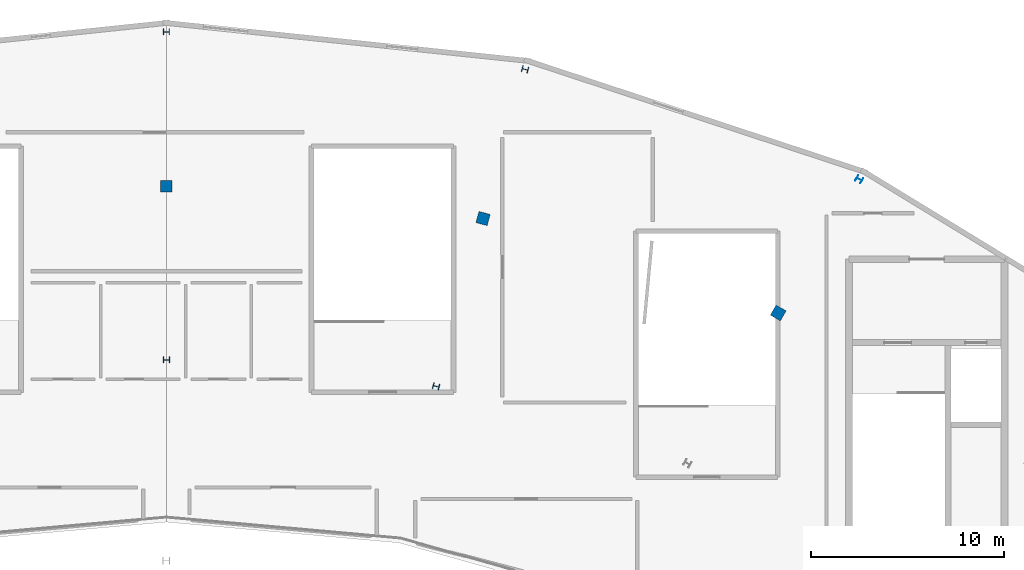
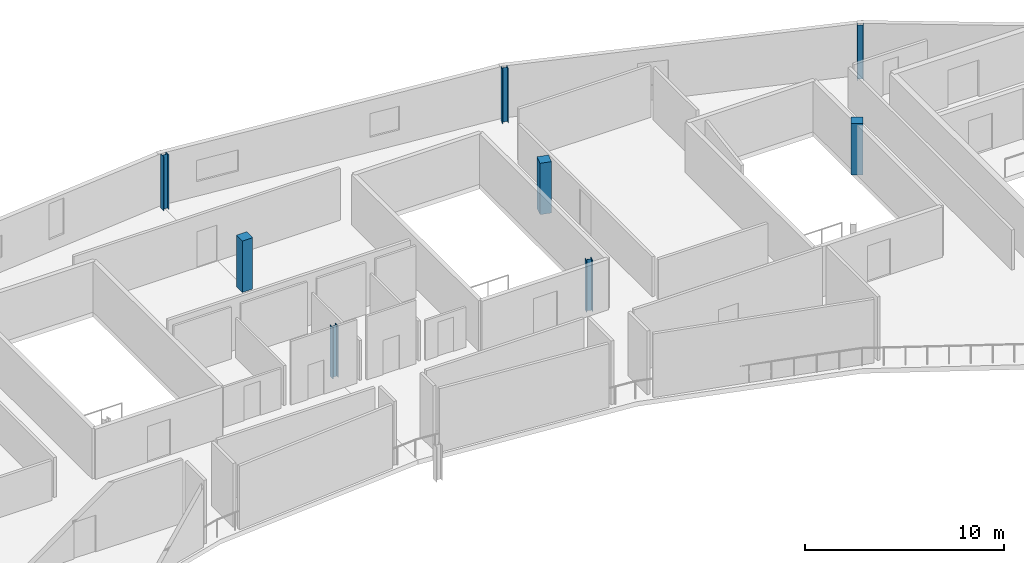
# One storey, part 11 of 35: 8 columns.
"""IFC4 building model written with IfcOpenShell, lengths in metres."""

from ifc_helpers import new_model, si_unit, direction, frame, origin, origin_2d, place, context, subcontext, project, spatial, rectangle, i_section, extrude, material, material_profile, profile_set, type_object, element, save


model = new_model("IFC4")

# Units and contexts
model_context = context("Model", 3, precision=1e-05, world=origin(), true_north=direction((0.0, 1.0)))
body_context = subcontext(model_context, "Body", "Model", "MODEL_VIEW")
ifc_project = project(units=[si_unit("LENGTHUNIT", "METRE"), si_unit("AREAUNIT", "SQUARE_METRE"), si_unit("VOLUMEUNIT", "CUBIC_METRE"), si_unit("PLANEANGLEUNIT", "RADIAN"), si_unit("MASSUNIT", "GRAM", prefix="KILO")], contexts=[model_context])

# Site, building, storey
site_placement = place(None, origin())
site = spatial("IfcSite", under=ifc_project, at=site_placement, CompositionType="ELEMENT")
building_placement = place(site_placement, origin())
building = spatial("IfcBuilding", under=site, at=building_placement, Name="Kalgoora Escarpment Arena", CompositionType="ELEMENT")
storey_placement = place(building_placement, frame((0.0, 0.0, 23.39990234375)))
storey = spatial("IfcBuildingStorey", under=building, at=storey_placement, Name="L05", CompositionType="ELEMENT", Elevation=23.39990234375)

# Columns
ifc_material_1 = material(Name="Structural steel AS/NZS 3679 (300 MPa)", Category="steel")
ifc_material_profile_1 = material_profile(ifc_material_1, i_section(OverallWidth=0.30908203125, OverallDepth=0.321044921875, WebThickness=0.013916015625, FlangeThickness=0.021728515625, at=origin_2d()))
ifc_profile_set_1 = profile_set([ifc_material_profile_1], Name="Structural steel AS/NZS 3679 (300 MPa)")
column_type_1 = type_object("IfcColumnType", Name="COL-COL-310UC137", PredefinedType="COLUMN", material=ifc_profile_set_1)
for number, where, z_axis, x_axis, name in (
    (1, (128.300048828125, 113.36328125, 0.0), (0.0, 0.0, 1.0), (0.5, 0.866025403784, 0.0), "L05 structural column COL-RCONC2-R05"),
    (2, (110.983154296875, 119.057861328125, 0.0), (0.0, 0.0, 1.0), (0.258819045103, 0.965925826289, 0.0), "L05 structural column COL-RCONC2-R06"),
    (3, (92.39990234375, 121.0, 0.0), (0.0, 0.0, 1.0), (0.0, 1.0, 0.0), "L05 structural column COL-RCONC2-R07"),
):
    element("IfcColumn", number, at=place(storey_placement, frame(where, z_axis=z_axis, x_axis=x_axis)), inside=storey, type_object=column_type_1, Name=name, PredefinedType="COLUMN", context=body_context, shape_type="SweptSolid", body=[
        extrude(i_section(OverallWidth=0.30908203125, OverallDepth=0.321044921875, WebThickness=0.013916015625, FlangeThickness=0.021728515625, at=origin_2d()), origin(), (0.0, 0.0, 1.0), 3.320068359375),
    ])
ifc_material_2 = material(Name="Structural steel AS/NZS 3679 (300 MPa)", Category="steel")
ifc_material_profile_2 = material_profile(ifc_material_2, i_section(OverallWidth=0.31103515625, OverallDepth=0.326904296875, WebThickness=0.015625, FlangeThickness=0.02490234375, at=origin_2d()))
ifc_profile_set_2 = profile_set([ifc_material_profile_2], Name="Structural steel AS/NZS 3679 (300 MPa)")
column_type_2 = type_object("IfcColumnType", Name="COL-COL-310UC158", PredefinedType="COLUMN", material=ifc_profile_set_2)
for number, where, z_axis, x_axis, name in (
    (4, (106.376220703125, 102.636962890625, 0.0), (0.0, 0.0, 1.0), (0.258819045103, 0.965925826289, 0.0), "L05 structural column COL-RMAIN-R06"),
    (5, (92.39990234375, 104.0, 0.0), (0.0, 0.0, 1.0), (0.0, 1.0, 0.0), "L05 structural column COL-RMAIN-R07"),
):
    element("IfcColumn", number, at=place(storey_placement, frame(where, z_axis=z_axis, x_axis=x_axis)), inside=storey, type_object=column_type_2, Name=name, PredefinedType="COLUMN", context=body_context, shape_type="SweptSolid", body=[
        extrude(i_section(OverallWidth=0.31103515625, OverallDepth=0.326904296875, WebThickness=0.015625, FlangeThickness=0.02490234375, at=origin_2d()), origin(), (0.0, 0.0, 1.0), 3.150146484375),
    ])
ifc_material_3 = material(Name="Concrete N50 (fc' 50 MPa)", Category="concrete")
ifc_material_profile_3 = material_profile(ifc_material_3, rectangle(XDim=0.60009765625, YDim=0.60009765625, at=origin_2d()))
ifc_profile_set_3 = profile_set([ifc_material_profile_3], Name="Concrete N50 (fc' 50 MPa)")
column_type_3 = type_object("IfcColumnType", Name="COL-COL-RC600x600", PredefinedType="COLUMN", material=ifc_profile_set_3)
for number, where, z_axis, x_axis, name in (
    (6, (124.10009765625, 106.435302734375, 0.0), (0.0, 0.0, 1.0), (0.5, 0.866025403784, 0.0), "L05 structural column COL-RCONC1-R05"),
    (7, (108.80908203125, 111.330322265625, 0.0), (0.0, 0.0, 1.0), (0.258819045103, 0.965925826289, 0.0), "L05 structural column COL-RCONC1-R06"),
    (8, (92.39990234375, 113.0, 0.0), (0.0, 0.0, 1.0), (0.0, 1.0, 0.0), "L05 structural column COL-RCONC1-R07"),
):
    element("IfcColumn", number, at=place(storey_placement, frame(where, z_axis=z_axis, x_axis=x_axis)), inside=storey, type_object=column_type_3, Name=name, PredefinedType="COLUMN", context=body_context, shape_type="SweptSolid", body=[
        extrude(rectangle(XDim=0.60009765625, YDim=0.60009765625, at=origin_2d()), origin(), (0.0, 0.0, 1.0), 3.150146484375),
    ])

save(model, "model.ifc")
